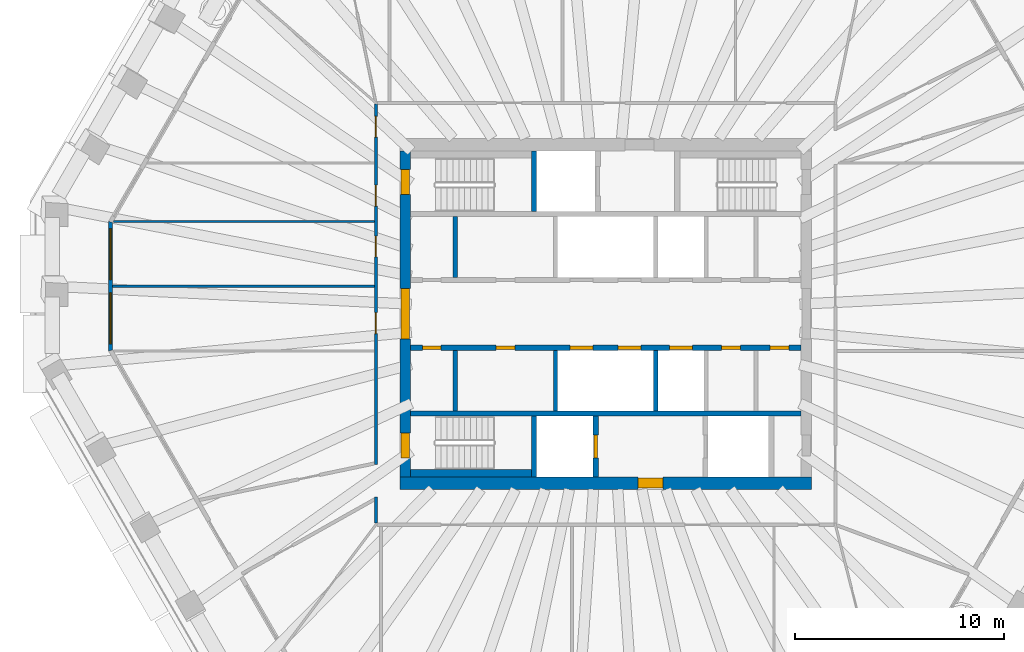
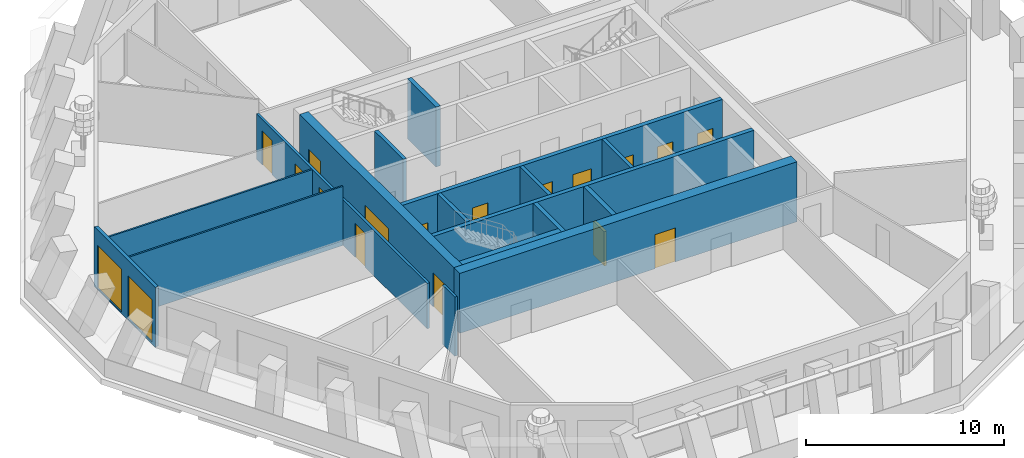
# One storey, part 4 of 12: 17 walls, 16 doors, 2 windows, 18 openings.
"""IFC4 building model written with IfcOpenShell, lengths in metres."""

from ifc_helpers import new_model, si_unit, direction, frame, frame_2d, origin, place, context, subcontext, project, spatial, polyline, rectangle, outline, extrude, material, layer, layer_set, type_object, element, fill, save


model = new_model("IFC4")

# Units and contexts
model_context = context("Model", 3, precision=1e-05, world=origin(), true_north=direction((0.0, 1.0)))
body_context = subcontext(model_context, "Body", "Model", "MODEL_VIEW")
ifc_project = project(units=[si_unit("LENGTHUNIT", "METRE"), si_unit("AREAUNIT", "SQUARE_METRE"), si_unit("VOLUMEUNIT", "CUBIC_METRE"), si_unit("PLANEANGLEUNIT", "RADIAN"), si_unit("MASSUNIT", "GRAM", prefix="KILO")], contexts=[model_context])

# Site, building, storey
site_placement = place(None, origin())
site = spatial("IfcSite", under=ifc_project, at=site_placement, CompositionType="ELEMENT")
building_placement = place(site_placement, origin())
building = spatial("IfcBuilding", under=site, at=building_placement, Name="Frailejon Research Tower", CompositionType="ELEMENT")
storey_placement = place(building_placement, frame((0.0, 0.0, 253.39990234375)))
storey = spatial("IfcBuildingStorey", under=building, at=storey_placement, Name="L55", CompositionType="ELEMENT", Elevation=253.39990234375)

# Wall, openings, doors
ifc_material_1 = material(Name="Concrete C50/60", Category="concrete")
ifc_layer_1 = layer(ifc_material_1, 0.5)
ifc_layer_set_1 = layer_set([ifc_layer_1], Name="Core shear wall 500 C50/60")
wall_type_1 = type_object("IfcWallType", Name="Core shear wall 500 C50/60", PredefinedType="SHEAR", material=ifc_layer_set_1)
wall_1_placement = place(storey_placement, frame((-9.60009765625, -7.800048828125, 0.0), z_axis=(0.0, 0.0, 1.0), x_axis=(0.0, 1.0, 0.0)))
wall_1 = element("IfcWall", 1, at=wall_1_placement, inside=storey, type_object=wall_type_1, Name="Core shear wall", PredefinedType="SHEAR", context=body_context, shape_type="SweptSolid", body=[
    extrude(rectangle(XDim=15.60009765625, YDim=0.5, at=frame_2d((7.800048828125, 0.0))), origin(), (0.0, 0.0, 1.0), 3.7001953125),
])
opening_1_placement = place(wall_1_placement, frame((6.60009765625, 0.0, 0.0)))
opening_1 = element("IfcOpeningElement", 2, at=opening_1_placement, cuts=wall_1, Name="Opening D2", PredefinedType="OPENING", context=body_context, shape_type="SweptSolid", body=[
    extrude(rectangle(XDim=2.39990234375, YDim=2.10009765625, at=frame_2d((1.199951171875, 1.050048828125))), frame((0.0, 0.260009765625, 0.0), z_axis=(0.0, -1.0, 0.0), x_axis=(1.0, 0.0, 0.0)), (0.0, 0.0, 1.0), 0.52001953125),
])
opening_2_placement = place(wall_1_placement, frame((13.5, 0.0, 0.0)))
opening_2 = element("IfcOpeningElement", 3, at=opening_2_placement, cuts=wall_1, Name="Opening D1", PredefinedType="OPENING", context=body_context, shape_type="SweptSolid", body=[
    extrude(rectangle(XDim=1.199951171875, YDim=2.10009765625, at=frame_2d((0.60009765625, 1.050048828125))), frame((0.0, 0.260009765625, 0.0), z_axis=(0.0, -1.0, 0.0), x_axis=(1.0, 0.0, 0.0)), (0.0, 0.0, 1.0), 0.52001953125),
])
opening_3_placement = place(wall_1_placement, frame((0.89990234375, 0.0, 0.0)))
opening_3 = element("IfcOpeningElement", 4, at=opening_3_placement, cuts=wall_1, Name="Opening D1", PredefinedType="OPENING", context=body_context, shape_type="SweptSolid", body=[
    extrude(rectangle(XDim=1.199951171875, YDim=2.10009765625, at=frame_2d((0.60009765625, 1.050048828125))), frame((0.0, 0.260009765625, 0.0), z_axis=(0.0, -1.0, 0.0), x_axis=(1.0, 0.0, 0.0)), (0.0, 0.0, 1.0), 0.52001953125),
])
ifc_material_2 = material(Name="Steel", Category="steel")
door_type_1 = type_object("IfcDoorType", Name="Lobby double door", OperationType="DOUBLE_DOOR_SINGLE_SWING", PredefinedType="DOOR", material=ifc_material_2)
door_1_placement = place(opening_1_placement, origin())
door_1 = element("IfcDoor", 5, at=door_1_placement, inside=storey, type_object=door_type_1, Name="Lobby door", OperationType="DOUBLE_DOOR_SINGLE_SWING", OverallHeight=2.10009765625, OverallWidth=2.39990234375, PredefinedType="DOOR", context=body_context, shape_type="SweptSolid", body=[
    extrude(rectangle(XDim=2.39990234375, YDim=2.10009765625, at=frame_2d((1.199951171875, 1.050048828125))), frame((0.0, 0.199951171875, 0.0), z_axis=(0.0, -1.0, 0.0), x_axis=(1.0, 0.0, 0.0)), (0.0, 0.0, 1.0), 0.39990234375),
])
fill(opening_1, door_1)
ifc_material_3 = material(Name="Steel", Category="steel")
door_type_2 = type_object("IfcDoorType", Name="Stair door", OperationType="SINGLE_SWING_LEFT", PredefinedType="DOOR", material=ifc_material_3)
door_2_placement = place(opening_2_placement, origin())
door_2 = element("IfcDoor", 6, at=door_2_placement, inside=storey, type_object=door_type_2, Name="Stair door ST1", OperationType="SINGLE_SWING_RIGHT", OverallHeight=2.10009765625, OverallWidth=1.199951171875, PredefinedType="DOOR", context=body_context, shape_type="SweptSolid", body=[
    extrude(rectangle(XDim=1.199951171875, YDim=2.10009765625, at=frame_2d((0.60009765625, 1.050048828125))), frame((0.0, 0.199951171875, 0.0), z_axis=(0.0, -1.0, 0.0), x_axis=(1.0, 0.0, 0.0)), (0.0, 0.0, 1.0), 0.39990234375),
])
fill(opening_2, door_2)
door_3_placement = place(opening_3_placement, origin())
door_3 = element("IfcDoor", 7, at=door_3_placement, inside=storey, type_object=door_type_2, Name="Stair door ST2", OperationType="SINGLE_SWING_LEFT", OverallHeight=2.10009765625, OverallWidth=1.199951171875, PredefinedType="DOOR", context=body_context, shape_type="SweptSolid", body=[
    extrude(rectangle(XDim=1.199951171875, YDim=2.10009765625, at=frame_2d((0.60009765625, 1.050048828125))), frame((0.0, 0.199951171875, 0.0), z_axis=(0.0, -1.0, 0.0), x_axis=(1.0, 0.0, 0.0)), (0.0, 0.0, 1.0), 0.39990234375),
])
fill(opening_3, door_3)

# Wall, opening, door
ifc_material_4 = material(Name="Concrete C50/60", Category="concrete")
ifc_layer_2 = layer(ifc_material_4, 0.60009765625)
ifc_layer_set_2 = layer_set([ifc_layer_2], Name="Core shear wall 600 C50/60")
wall_type_2 = type_object("IfcWallType", Name="Core shear wall 600 C50/60", PredefinedType="SHEAR", material=ifc_layer_set_2)
wall_2_placement = place(storey_placement, frame((-9.85009765625, -8.10009765625, 0.0), z_axis=(0.0, 0.0, 1.0), x_axis=(1.0, 0.0, 0.0)))
wall_2 = element("IfcWall", 8, at=wall_2_placement, inside=storey, type_object=wall_type_2, Name="Core shear wall", PredefinedType="SHEAR", context=body_context, shape_type="SweptSolid", body=[
    extrude(rectangle(XDim=19.7001953125, YDim=0.60009765625, at=frame_2d((9.85009765625, 0.0))), origin(), (0.0, 0.0, 1.0), 3.7001953125),
])
opening_4_placement = place(wall_2_placement, frame((11.39990234375, 0.0, 0.0)))
opening_4 = element("IfcOpeningElement", 9, at=opening_4_placement, cuts=wall_2, Name="Opening D3", PredefinedType="OPENING", context=body_context, shape_type="SweptSolid", body=[
    extrude(rectangle(XDim=1.199951171875, YDim=2.10009765625, at=frame_2d((0.60009765625, 1.050048828125))), frame((0.0, 0.31005859375, 0.0), z_axis=(0.0, -1.0, 0.0), x_axis=(1.0, 0.0, 0.0)), (0.0, 0.0, 1.0), 0.6201171875),
])
ifc_material_5 = material(Name="Steel", Category="steel")
door_type_3 = type_object("IfcDoorType", Name="Firefighting lobby door", OperationType="SINGLE_SWING_LEFT", PredefinedType="DOOR", material=ifc_material_5)
door_4_placement = place(opening_4_placement, origin())
door_4 = element("IfcDoor", 10, at=door_4_placement, inside=storey, type_object=door_type_3, Name="Firefighting lobby door", OperationType="SINGLE_SWING_LEFT", OverallHeight=2.10009765625, OverallWidth=1.199951171875, PredefinedType="DOOR", context=body_context, shape_type="SweptSolid", body=[
    extrude(rectangle(XDim=1.199951171875, YDim=2.10009765625, at=frame_2d((0.60009765625, 1.050048828125))), frame((0.0, 0.25, 0.0), z_axis=(0.0, -1.0, 0.0), x_axis=(1.0, 0.0, 0.0)), (0.0, 0.0, 1.0), 0.5),
])
fill(opening_4, door_4)

# Wall
ifc_material_6 = material(Name="Gypsum board and masonry partition", Category="masonry")
ifc_layer_3 = layer(ifc_material_6, 0.14990234375)
ifc_layer_set_3 = layer_set([ifc_layer_3], Name="Corridor wall EI 60, gypsum on steel studs 150")
wall_type_3 = type_object("IfcWallType", Name="Corridor wall EI 60, gypsum on steel studs 150", PredefinedType="PARTITIONING", material=ifc_layer_set_3)
wall_3_placement = place(storey_placement, frame((-11.0, -10.02490234375, 0.0), z_axis=(0.0, 0.0, 1.0), x_axis=(0.0, 1.0, 0.0)))
element("IfcWall", 11, at=wall_3_placement, inside=storey, type_object=wall_type_3, Name="T:IW:L55:008", PredefinedType="PARTITIONING", context=body_context, shape_type="SweptSolid", body=[
    extrude(rectangle(XDim=1.25, YDim=0.14990234375, at=frame_2d((0.625, 0.0))), origin(), (0.0, 0.0, 1.0), 3.650146484375),
])

# Wall, openings, doors
wall_4_placement = place(storey_placement, frame((-11.0, -7.22509765625, 0.0), z_axis=(0.0, 0.0, 1.0), x_axis=(0.0, 1.0, 0.0)))
wall_4 = element("IfcWall", 12, at=wall_4_placement, inside=storey, type_object=wall_type_3, Name="T:IW:L55:009", PredefinedType="PARTITIONING", context=body_context, shape_type="SweptSolid", body=[
    extrude(rectangle(XDim=17.275146484375, YDim=0.14990234375, at=frame_2d((8.6376953125, 0.0))), origin(), (0.0, 0.0, 1.0), 2.800048828125),
])
opening_5_placement = place(wall_4_placement, frame((15.679443359375, 0.0, 0.0)))
opening_5 = element("IfcOpeningElement", 13, at=opening_5_placement, cuts=wall_4, Name="Opening D2079", PredefinedType="OPENING", context=body_context, shape_type="SweptSolid", body=[
    extrude(rectangle(XDim=1.0, YDim=2.10009765625, at=frame_2d((0.5, 1.050048828125))), frame((0.0, 0.0849609375, 0.0), z_axis=(0.0, -1.0, 0.0), x_axis=(1.0, 0.0, 0.0)), (0.0, 0.0, 1.0), 0.169921875),
])
opening_6_placement = place(wall_4_placement, frame((12.38134765625, 0.0, 0.0)))
opening_6 = element("IfcOpeningElement", 14, at=opening_6_placement, cuts=wall_4, Name="Opening D2080", PredefinedType="OPENING", context=body_context, shape_type="SweptSolid", body=[
    extrude(rectangle(XDim=1.0, YDim=2.10009765625, at=frame_2d((0.5, 1.050048828125))), frame((0.0, 0.0849609375, 0.0), z_axis=(0.0, -1.0, 0.0), x_axis=(1.0, 0.0, 0.0)), (0.0, 0.0, 1.0), 0.169921875),
])
opening_7_placement = place(wall_4_placement, frame((9.947265625, 0.0, 0.0)))
opening_7 = element("IfcOpeningElement", 15, at=opening_7_placement, cuts=wall_4, Name="Opening D2081", PredefinedType="OPENING", context=body_context, shape_type="SweptSolid", body=[
    extrude(rectangle(XDim=1.0, YDim=2.10009765625, at=frame_2d((0.5, 1.050048828125))), frame((0.0, 0.0849609375, 0.0), z_axis=(0.0, -1.0, 0.0), x_axis=(1.0, 0.0, 0.0)), (0.0, 0.0, 1.0), 0.169921875),
])
opening_8_placement = place(wall_4_placement, frame((6.28271484375, 0.0, 0.0)))
opening_8 = element("IfcOpeningElement", 16, at=opening_8_placement, cuts=wall_4, Name="Opening D2082", PredefinedType="OPENING", context=body_context, shape_type="SweptSolid", body=[
    extrude(rectangle(XDim=1.0, YDim=2.10009765625, at=frame_2d((0.5, 1.050048828125))), frame((0.0, 0.0849609375, 0.0), z_axis=(0.0, -1.0, 0.0), x_axis=(1.0, 0.0, 0.0)), (0.0, 0.0, 1.0), 0.169921875),
])
ifc_material_7 = material(Name="Timber door leaf", Category="wood")
door_type_4 = type_object("IfcDoorType", Name="Door single leaf, timber, steel frame 1000", OperationType="NOTDEFINED", PredefinedType="DOOR", material=ifc_material_7)
door_5_placement = place(opening_5_placement, origin())
door_5 = element("IfcDoor", 17, at=door_5_placement, inside=storey, type_object=door_type_4, Name="D2079", OperationType="SINGLE_SWING_RIGHT", OverallHeight=2.10009765625, OverallWidth=1.0, PredefinedType="DOOR", context=body_context, shape_type="SweptSolid", body=[
    extrude(rectangle(XDim=1.0, YDim=2.10009765625, at=frame_2d((0.5, 1.050048828125))), frame((0.0, 0.02490234375, 0.0), z_axis=(0.0, -1.0, 0.0), x_axis=(1.0, 0.0, 0.0)), (0.0, 0.0, 1.0), 0.050048828125),
])
fill(opening_5, door_5)
door_6_placement = place(opening_6_placement, origin())
door_6 = element("IfcDoor", 18, at=door_6_placement, inside=storey, type_object=door_type_4, Name="D2080", OperationType="SINGLE_SWING_RIGHT", OverallHeight=2.10009765625, OverallWidth=1.0, PredefinedType="DOOR", context=body_context, shape_type="SweptSolid", body=[
    extrude(rectangle(XDim=1.0, YDim=2.10009765625, at=frame_2d((0.5, 1.050048828125))), frame((0.0, 0.02490234375, 0.0), z_axis=(0.0, -1.0, 0.0), x_axis=(1.0, 0.0, 0.0)), (0.0, 0.0, 1.0), 0.050048828125),
])
fill(opening_6, door_6)
door_7_placement = place(opening_7_placement, origin())
door_7 = element("IfcDoor", 19, at=door_7_placement, inside=storey, type_object=door_type_4, Name="D2081", OperationType="SINGLE_SWING_RIGHT", OverallHeight=2.10009765625, OverallWidth=1.0, PredefinedType="DOOR", context=body_context, shape_type="SweptSolid", body=[
    extrude(rectangle(XDim=1.0, YDim=2.10009765625, at=frame_2d((0.5, 1.050048828125))), frame((0.0, 0.02490234375, 0.0), z_axis=(0.0, -1.0, 0.0), x_axis=(1.0, 0.0, 0.0)), (0.0, 0.0, 1.0), 0.050048828125),
])
fill(opening_7, door_7)
door_8_placement = place(opening_8_placement, origin())
door_8 = element("IfcDoor", 20, at=door_8_placement, inside=storey, type_object=door_type_4, Name="D2082", OperationType="SINGLE_SWING_RIGHT", OverallHeight=2.10009765625, OverallWidth=1.0, PredefinedType="DOOR", context=body_context, shape_type="SweptSolid", body=[
    extrude(rectangle(XDim=1.0, YDim=2.10009765625, at=frame_2d((0.5, 1.050048828125))), frame((0.0, 0.02490234375, 0.0), z_axis=(0.0, -1.0, 0.0), x_axis=(1.0, 0.0, 0.0)), (0.0, 0.0, 1.0), 0.050048828125),
])
fill(opening_8, door_8)

# Walls
ifc_material_8 = material(Name="Gypsum board and masonry partition", Category="masonry")
ifc_layer_4 = layer(ifc_material_8, 0.10009765625)
ifc_layer_set_4 = layer_set([ifc_layer_4], Name="Partition, gypsum on steel studs 100")
wall_type_4 = type_object("IfcWallType", Name="Partition, gypsum on steel studs 100", PredefinedType="PARTITIONING", material=ifc_layer_set_4)
wall_5_placement = place(storey_placement, frame((-23.5654296875, 4.423095703125, 0.0), z_axis=(0.0, 0.0, 1.0), x_axis=(1.0, 0.0, 0.0)))
element("IfcWall", 21, at=wall_5_placement, inside=storey, type_object=wall_type_4, Name="T:IW:L55:023", PredefinedType="PARTITIONING", context=body_context, shape_type="SweptSolid", body=[
    extrude(rectangle(XDim=12.490478515625, YDim=0.10009765625, at=frame_2d((6.2451171875, 0.0))), origin(), (0.0, 0.0, 1.0), 2.800048828125),
])
wall_6_placement = place(storey_placement, frame((-23.596435546875, 1.31982421875, 0.0), z_axis=(0.0, 0.0, 1.0), x_axis=(1.0, 0.0, 0.0)))
element("IfcWall", 22, at=wall_6_placement, inside=storey, type_object=wall_type_4, Name="T:IW:L55:024", PredefinedType="PARTITIONING", context=body_context, shape_type="SweptSolid", body=[
    extrude(rectangle(XDim=12.521484375, YDim=0.10009765625, at=frame_2d((6.2607421875, 0.0))), origin(), (0.0, 0.0, 1.0), 3.650146484375),
])
ifc_material_9 = material(Name="Concrete C50/60", Category="concrete")
ifc_layer_5 = layer(ifc_material_9, 0.199951171875)
ifc_layer_set_5 = layer_set([ifc_layer_5], Name="Shaft wall 200 C50/60")
wall_type_5 = type_object("IfcWallType", Name="Shaft wall 200 C50/60", PredefinedType="SOLIDWALL", material=ifc_layer_set_5)
for number, where, z_axis, x_axis, name in (
    (23, (-7.199951171875, 1.75, 0.0), (0.0, 0.0, 1.0), (0.0, 1.0, 0.0), "Shaft wall"),
    (24, (-7.199951171875, -4.64990234375, 0.0), (0.0, 0.0, 1.0), (0.0, 1.0, 0.0), "Shaft wall"),
    (25, (-2.39990234375, -4.64990234375, 0.0), (0.0, 0.0, 1.0), (0.0, 1.0, 0.0), "Shaft wall"),
    (26, (2.39990234375, -4.64990234375, 0.0), (0.0, 0.0, 1.0), (0.0, 1.0, 0.0), "Shaft wall"),
):
    element("IfcWall", number, at=place(storey_placement, frame(where, z_axis=z_axis, x_axis=x_axis)), inside=storey, type_object=wall_type_5, Name=name, PredefinedType="SOLIDWALL", context=body_context, shape_type="SweptSolid", body=[
        extrude(rectangle(XDim=2.89990234375, YDim=0.199951171875, at=frame_2d((1.449951171875, 0.0))), origin(), (0.0, 0.0, 1.0), 3.7001953125),
    ])

# Wall, openings, doors
ifc_material_10 = material(Name="Concrete C50/60", Category="concrete")
ifc_layer_6 = layer(ifc_material_10, 0.25)
ifc_layer_set_6 = layer_set([ifc_layer_6], Name="Shaft wall 250 C50/60")
wall_type_6 = type_object("IfcWallType", Name="Shaft wall 250 C50/60", PredefinedType="SOLIDWALL", material=ifc_layer_set_6)
wall_7_placement = place(storey_placement, frame((-9.35009765625, -1.625, 0.0), z_axis=(0.0, 0.0, 1.0), x_axis=(1.0, 0.0, 0.0)))
wall_7 = element("IfcWall", 27, at=wall_7_placement, inside=storey, type_object=wall_type_6, Name="Shaft wall", PredefinedType="SOLIDWALL", context=body_context, shape_type="SweptSolid", body=[
    extrude(rectangle(XDim=18.7001953125, YDim=0.25, at=frame_2d((9.35009765625, 0.0))), origin(), (0.0, 0.0, 1.0), 3.7001953125),
])
opening_9_placement = place(wall_7_placement, frame((7.64990234375, 0.0, 0.0)))
opening_9 = element("IfcOpeningElement", 28, at=opening_9_placement, cuts=wall_7, Name="Opening LD", PredefinedType="OPENING", context=body_context, shape_type="SweptSolid", body=[
    extrude(rectangle(XDim=1.10009765625, YDim=2.10009765625, at=frame_2d((0.550048828125, 1.050048828125))), frame((0.0, 0.135009765625, 0.0), z_axis=(0.0, -1.0, 0.0), x_axis=(1.0, 0.0, 0.0)), (0.0, 0.0, 1.0), 0.27001953125),
])
opening_10_placement = place(wall_7_placement, frame((9.949951171875, 0.0, 0.0)))
opening_10 = element("IfcOpeningElement", 29, at=opening_10_placement, cuts=wall_7, Name="Opening LD", PredefinedType="OPENING", context=body_context, shape_type="SweptSolid", body=[
    extrude(rectangle(XDim=1.10009765625, YDim=2.10009765625, at=frame_2d((0.550048828125, 1.050048828125))), frame((0.0, 0.135009765625, 0.0), z_axis=(0.0, -1.0, 0.0), x_axis=(1.0, 0.0, 0.0)), (0.0, 0.0, 1.0), 0.27001953125),
])
opening_11_placement = place(wall_7_placement, frame((12.39990234375, 0.0, 0.0)))
opening_11 = element("IfcOpeningElement", 30, at=opening_11_placement, cuts=wall_7, Name="Opening LD", PredefinedType="OPENING", context=body_context, shape_type="SweptSolid", body=[
    extrude(rectangle(XDim=1.10009765625, YDim=2.10009765625, at=frame_2d((0.550048828125, 1.050048828125))), frame((0.0, 0.135009765625, 0.0), z_axis=(0.0, -1.0, 0.0), x_axis=(1.0, 0.0, 0.0)), (0.0, 0.0, 1.0), 0.27001953125),
])
opening_12_placement = place(wall_7_placement, frame((0.574951171875, 0.0, 0.0)))
opening_12 = element("IfcOpeningElement", 31, at=opening_12_placement, cuts=wall_7, Name="Opening D8", PredefinedType="OPENING", context=body_context, shape_type="SweptSolid", body=[
    extrude(rectangle(XDim=0.89990234375, YDim=2.10009765625, at=frame_2d((0.449951171875, 1.050048828125))), frame((0.0, 0.135009765625, 0.0), z_axis=(0.0, -1.0, 0.0), x_axis=(1.0, 0.0, 0.0)), (0.0, 0.0, 1.0), 0.27001953125),
])
opening_13_placement = place(wall_7_placement, frame((4.10009765625, 0.0, 0.0)))
opening_13 = element("IfcOpeningElement", 32, at=opening_13_placement, cuts=wall_7, Name="Opening D8", PredefinedType="OPENING", context=body_context, shape_type="SweptSolid", body=[
    extrude(rectangle(XDim=0.89990234375, YDim=2.10009765625, at=frame_2d((0.449951171875, 1.050048828125))), frame((0.0, 0.135009765625, 0.0), z_axis=(0.0, -1.0, 0.0), x_axis=(1.0, 0.0, 0.0)), (0.0, 0.0, 1.0), 0.27001953125),
])
opening_14_placement = place(wall_7_placement, frame((14.89990234375, 0.0, 0.0)))
opening_14 = element("IfcOpeningElement", 33, at=opening_14_placement, cuts=wall_7, Name="Opening D8", PredefinedType="OPENING", context=body_context, shape_type="SweptSolid", body=[
    extrude(rectangle(XDim=0.89990234375, YDim=2.10009765625, at=frame_2d((0.449951171875, 1.050048828125))), frame((0.0, 0.135009765625, 0.0), z_axis=(0.0, -1.0, 0.0), x_axis=(1.0, 0.0, 0.0)), (0.0, 0.0, 1.0), 0.27001953125),
])
opening_15_placement = place(wall_7_placement, frame((17.22509765625, 0.0, 0.0)))
opening_15 = element("IfcOpeningElement", 34, at=opening_15_placement, cuts=wall_7, Name="Opening D8", PredefinedType="OPENING", context=body_context, shape_type="SweptSolid", body=[
    extrude(rectangle(XDim=0.89990234375, YDim=2.10009765625, at=frame_2d((0.449951171875, 1.050048828125))), frame((0.0, 0.135009765625, 0.0), z_axis=(0.0, -1.0, 0.0), x_axis=(1.0, 0.0, 0.0)), (0.0, 0.0, 1.0), 0.27001953125),
])
ifc_material_11 = material(Name="Steel", Category="steel")
door_type_5 = type_object("IfcDoorType", Name="Core room door", OperationType="SINGLE_SWING_LEFT", PredefinedType="DOOR", material=ifc_material_11)
door_9_placement = place(opening_12_placement, origin())
door_9 = element("IfcDoor", 35, at=door_9_placement, inside=storey, type_object=door_type_5, Name="Room door", OperationType="SINGLE_SWING_RIGHT", OverallHeight=2.10009765625, OverallWidth=0.89990234375, PredefinedType="DOOR", context=body_context, shape_type="SweptSolid", body=[
    extrude(rectangle(XDim=0.89990234375, YDim=2.10009765625, at=frame_2d((0.449951171875, 1.050048828125))), frame((0.0, 0.074951171875, 0.0), z_axis=(0.0, -1.0, 0.0), x_axis=(1.0, 0.0, 0.0)), (0.0, 0.0, 1.0), 0.14990234375),
])
fill(opening_12, door_9)
door_10_placement = place(opening_13_placement, origin())
door_10 = element("IfcDoor", 36, at=door_10_placement, inside=storey, type_object=door_type_5, Name="Room door", OperationType="SINGLE_SWING_LEFT", OverallHeight=2.10009765625, OverallWidth=0.89990234375, PredefinedType="DOOR", context=body_context, shape_type="SweptSolid", body=[
    extrude(rectangle(XDim=0.89990234375, YDim=2.10009765625, at=frame_2d((0.449951171875, 1.050048828125))), frame((0.0, 0.074951171875, 0.0), z_axis=(0.0, -1.0, 0.0), x_axis=(1.0, 0.0, 0.0)), (0.0, 0.0, 1.0), 0.14990234375),
])
fill(opening_13, door_10)
door_11_placement = place(opening_14_placement, origin())
door_11 = element("IfcDoor", 37, at=door_11_placement, inside=storey, type_object=door_type_5, Name="Room door", OperationType="SINGLE_SWING_RIGHT", OverallHeight=2.10009765625, OverallWidth=0.89990234375, PredefinedType="DOOR", context=body_context, shape_type="SweptSolid", body=[
    extrude(rectangle(XDim=0.89990234375, YDim=2.10009765625, at=frame_2d((0.449951171875, 1.050048828125))), frame((0.0, 0.074951171875, 0.0), z_axis=(0.0, -1.0, 0.0), x_axis=(1.0, 0.0, 0.0)), (0.0, 0.0, 1.0), 0.14990234375),
])
fill(opening_14, door_11)
door_12_placement = place(opening_15_placement, origin())
door_12 = element("IfcDoor", 38, at=door_12_placement, inside=storey, type_object=door_type_5, Name="Room door", OperationType="SINGLE_SWING_LEFT", OverallHeight=2.10009765625, OverallWidth=0.89990234375, PredefinedType="DOOR", context=body_context, shape_type="SweptSolid", body=[
    extrude(rectangle(XDim=0.89990234375, YDim=2.10009765625, at=frame_2d((0.449951171875, 1.050048828125))), frame((0.0, 0.074951171875, 0.0), z_axis=(0.0, -1.0, 0.0), x_axis=(1.0, 0.0, 0.0)), (0.0, 0.0, 1.0), 0.14990234375),
])
fill(opening_15, door_12)
ifc_material_12 = material(Name="Steel", Category="steel")
door_type_6 = type_object("IfcDoorType", Name="Lift landing door", OperationType="DOUBLE_DOOR_SLIDING", PredefinedType="DOOR", material=ifc_material_12)
door_13_placement = place(opening_9_placement, origin())
door_13 = element("IfcDoor", 39, at=door_13_placement, inside=storey, type_object=door_type_6, Name="Lift landing door", OperationType="DOUBLE_DOOR_SLIDING", OverallHeight=2.10009765625, OverallWidth=1.10009765625, PredefinedType="DOOR", context=body_context, shape_type="SweptSolid", body=[
    extrude(rectangle(XDim=1.10009765625, YDim=2.10009765625, at=frame_2d((0.550048828125, 1.050048828125))), frame((0.0, 0.074951171875, 0.0), z_axis=(0.0, -1.0, 0.0), x_axis=(1.0, 0.0, 0.0)), (0.0, 0.0, 1.0), 0.14990234375),
])
fill(opening_9, door_13)
door_14_placement = place(opening_10_placement, origin())
door_14 = element("IfcDoor", 40, at=door_14_placement, inside=storey, type_object=door_type_6, Name="Lift landing door", OperationType="DOUBLE_DOOR_SLIDING", OverallHeight=2.10009765625, OverallWidth=1.10009765625, PredefinedType="DOOR", context=body_context, shape_type="SweptSolid", body=[
    extrude(rectangle(XDim=1.10009765625, YDim=2.10009765625, at=frame_2d((0.550048828125, 1.050048828125))), frame((0.0, 0.074951171875, 0.0), z_axis=(0.0, -1.0, 0.0), x_axis=(1.0, 0.0, 0.0)), (0.0, 0.0, 1.0), 0.14990234375),
])
fill(opening_10, door_14)
door_15_placement = place(opening_11_placement, origin())
door_15 = element("IfcDoor", 41, at=door_15_placement, inside=storey, type_object=door_type_6, Name="Lift landing door", OperationType="DOUBLE_DOOR_SLIDING", OverallHeight=2.10009765625, OverallWidth=1.10009765625, PredefinedType="DOOR", context=body_context, shape_type="SweptSolid", body=[
    extrude(rectangle(XDim=1.10009765625, YDim=2.10009765625, at=frame_2d((0.550048828125, 1.050048828125))), frame((0.0, 0.074951171875, 0.0), z_axis=(0.0, -1.0, 0.0), x_axis=(1.0, 0.0, 0.0)), (0.0, 0.0, 1.0), 0.14990234375),
])
fill(opening_11, door_15)

# Walls
wall_8_placement = place(storey_placement, frame((-9.35009765625, -4.77490234375, 0.0), z_axis=(0.0, 0.0, 1.0), x_axis=(1.0, 0.0, 0.0)))
element("IfcWall", 42, at=wall_8_placement, inside=storey, type_object=wall_type_6, Name="Shaft wall", PredefinedType="SOLIDWALL", context=body_context, shape_type="SweptSolid", body=[
    extrude(rectangle(XDim=18.7001953125, YDim=0.25, at=frame_2d((9.35009765625, 0.0))), origin(), (0.0, 0.0, 1.0), 3.7001953125),
])
for number, where, z_axis, x_axis, name in (
    (43, (-3.425048828125, 4.89990234375, 0.0), (0.0, 0.0, 1.0), (0.0, 1.0, 0.0), "Shaft wall"),
    (44, (-3.425048828125, -7.800048828125, 0.0), (0.0, 0.0, 1.0), (0.0, 1.0, 0.0), "Shaft wall"),
):
    element("IfcWall", number, at=place(storey_placement, frame(where, z_axis=z_axis, x_axis=x_axis)), inside=storey, type_object=wall_type_6, Name=name, PredefinedType="SOLIDWALL", context=body_context, shape_type="SweptSolid", body=[
        extrude(rectangle(XDim=2.900146484375, YDim=0.25, at=frame_2d((1.4501953125, 0.0))), origin(), (0.0, 0.0, 1.0), 3.7001953125),
    ])

# Wall, opening, door
wall_9_placement = place(storey_placement, frame((-0.47509765625, -7.800048828125, 0.0), z_axis=(0.0, 0.0, 1.0), x_axis=(0.0, 1.0, 0.0)))
wall_9 = element("IfcWall", 45, at=wall_9_placement, inside=storey, type_object=wall_type_6, Name="Shaft wall", PredefinedType="SOLIDWALL", context=body_context, shape_type="SweptSolid", body=[
    extrude(rectangle(XDim=2.900146484375, YDim=0.25, at=frame_2d((1.4501953125, 0.0))), origin(), (0.0, 0.0, 1.0), 3.7001953125),
])
opening_16_placement = place(wall_9_placement, frame((0.89990234375, 0.0, 0.0)))
opening_16 = element("IfcOpeningElement", 46, at=opening_16_placement, cuts=wall_9, Name="Opening LD", PredefinedType="OPENING", context=body_context, shape_type="SweptSolid", body=[
    extrude(rectangle(XDim=1.10009765625, YDim=2.10009765625, at=frame_2d((0.550048828125, 1.050048828125))), frame((0.0, 0.135009765625, 0.0), z_axis=(0.0, -1.0, 0.0), x_axis=(1.0, 0.0, 0.0)), (0.0, 0.0, 1.0), 0.27001953125),
])
door_16_placement = place(opening_16_placement, origin())
door_16 = element("IfcDoor", 47, at=door_16_placement, inside=storey, type_object=door_type_6, Name="Lift landing door", OperationType="DOUBLE_DOOR_SLIDING", OverallHeight=2.10009765625, OverallWidth=1.10009765625, PredefinedType="DOOR", context=body_context, shape_type="SweptSolid", body=[
    extrude(rectangle(XDim=1.10009765625, YDim=2.10009765625, at=frame_2d((0.550048828125, 1.050048828125))), frame((0.0, 0.074951171875, 0.0), z_axis=(0.0, -1.0, 0.0), x_axis=(1.0, 0.0, 0.0)), (0.0, 0.0, 1.0), 0.14990234375),
])
fill(opening_16, door_16)

# Wall
ifc_material_13 = material(Name="Concrete C50/60", Category="concrete")
ifc_layer_7 = layer(ifc_material_13, 0.35009765625)
ifc_layer_set_7 = layer_set([ifc_layer_7], Name="Shaft wall 350 C50/60")
wall_type_7 = type_object("IfcWallType", Name="Shaft wall 350 C50/60", PredefinedType="SOLIDWALL", material=ifc_layer_set_7)
wall_10_placement = place(storey_placement, frame((-9.35009765625, -7.625, 0.0), z_axis=(0.0, 0.0, 1.0), x_axis=(1.0, 0.0, 0.0)))
element("IfcWall", 48, at=wall_10_placement, inside=storey, type_object=wall_type_7, Name="Shaft wall", PredefinedType="SOLIDWALL", context=body_context, shape_type="SweptSolid", body=[
    extrude(rectangle(XDim=5.800048828125, YDim=0.35009765625, at=frame_2d((2.89990234375, 0.0))), origin(), (0.0, 0.0, 1.0), 3.7001953125),
])

# Wall, openings, windows
ifc_material_14 = material(Name="Concrete C40/50 precast window wall panel", Category="concrete")
ifc_layer_8 = layer(ifc_material_14, 0.199951171875)
ifc_layer_set_8 = layer_set([ifc_layer_8], Name="Window wall 200")
wall_type_8 = type_object("IfcWallType", Name="Window wall 200", PredefinedType="SOLIDWALL", material=ifc_layer_set_8)
wall_11_placement = place(storey_placement, frame((-23.6962890625, 4.396484375, 0.0), z_axis=(0.0, 0.0, 1.0), x_axis=(0.0, -1.0, 0.0)))
wall_11 = element("IfcWall", 49, at=wall_11_placement, inside=storey, type_object=wall_type_8, Name="Exterior wall L55", PredefinedType="SOLIDWALL", context=body_context, shape_type="SweptSolid", body=[
    extrude(outline(polyline([(-0.02685546875, -0.10009765625), (1.007568359375, -0.10009765625), (2.0419921875, -0.10009765625), (3.07666015625, -0.10009765625), (4.111083984375, -0.10009765625), (5.1455078125, -0.10009765625), (6.179931640625, -0.10009765625), (6.126220703125, 0.10009765625), (5.109619140625, 0.10009765625), (4.093017578125, 0.10009765625), (3.07666015625, 0.10009765625), (2.06005859375, 0.10009765625), (1.04345703125, 0.10009765625), (0.02685546875, 0.10009765625), (-0.02685546875, -0.10009765625)])), origin(), (0.0, 0.0, 1.0), 3.7001953125),
])
opening_17_placement = place(wall_11_placement, frame((0.313232421875, 0.0, 0.10009765625)))
opening_17 = element("IfcOpeningElement", 50, at=opening_17_placement, cuts=wall_11, Name="Opening W17", PredefinedType="OPENING", context=body_context, shape_type="SweptSolid", body=[
    extrude(rectangle(XDim=2.449951171875, YDim=2.64990234375, at=frame_2d((1.22509765625, 1.324951171875))), frame((0.0, 0.10986328125, 0.0), z_axis=(0.0, -1.0, 0.0), x_axis=(1.0, 0.0, 0.0)), (0.0, 0.0, 1.0), 0.219970703125),
])
opening_18_placement = place(wall_11_placement, frame((3.3896484375, 0.0, 0.10009765625)))
opening_18 = element("IfcOpeningElement", 51, at=opening_18_placement, cuts=wall_11, Name="Opening W17", PredefinedType="OPENING", context=body_context, shape_type="SweptSolid", body=[
    extrude(rectangle(XDim=2.449951171875, YDim=2.64990234375, at=frame_2d((1.22509765625, 1.324951171875))), frame((0.0, 0.10986328125, 0.0), z_axis=(0.0, -1.0, 0.0), x_axis=(1.0, 0.0, 0.0)), (0.0, 0.0, 1.0), 0.219970703125),
])
ifc_material_15 = material(Name="Aluminium framed double glazing", Category="aluminium")
window_type = type_object("IfcWindowType", Name="Window 2450x2650", PartitioningType="SINGLE_PANEL", PredefinedType="WINDOW", material=ifc_material_15)
window_1_placement = place(opening_17_placement, origin())
window_1 = element("IfcWindow", 52, at=window_1_placement, inside=storey, type_object=window_type, Name="Window L55", OverallHeight=2.64990234375, OverallWidth=2.449951171875, PartitioningType="SINGLE_PANEL", PredefinedType="WINDOW", context=body_context, shape_type="SweptSolid", body=[
    extrude(rectangle(XDim=2.449951171875, YDim=2.64990234375, at=frame_2d((1.22509765625, 1.324951171875))), frame((0.0, 0.030029296875, 0.0), z_axis=(0.0, -1.0, 0.0), x_axis=(1.0, 0.0, 0.0)), (0.0, 0.0, 1.0), 0.06005859375),
])
fill(opening_17, window_1)
window_2_placement = place(opening_18_placement, origin())
window_2 = element("IfcWindow", 53, at=window_2_placement, inside=storey, type_object=window_type, Name="Window L55", OverallHeight=2.64990234375, OverallWidth=2.449951171875, PartitioningType="SINGLE_PANEL", PredefinedType="WINDOW", context=body_context, shape_type="SweptSolid", body=[
    extrude(rectangle(XDim=2.449951171875, YDim=2.64990234375, at=frame_2d((1.22509765625, 1.324951171875))), frame((0.0, 0.030029296875, 0.0), z_axis=(0.0, -1.0, 0.0), x_axis=(1.0, 0.0, 0.0)), (0.0, 0.0, 1.0), 0.06005859375),
])
fill(opening_18, window_2)

save(model, "model.ifc")
